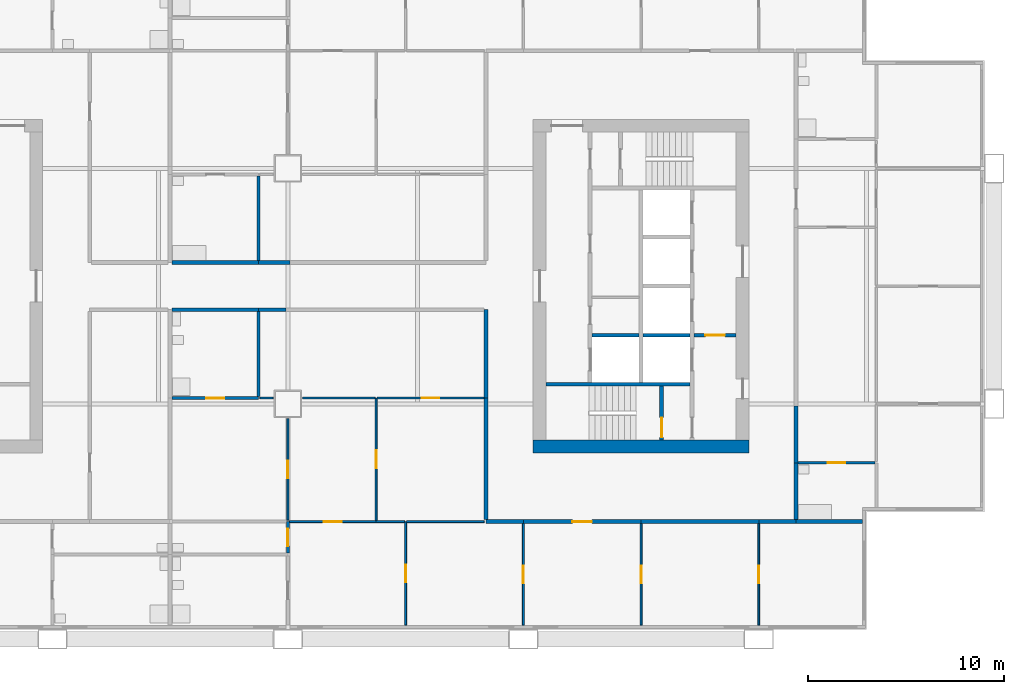
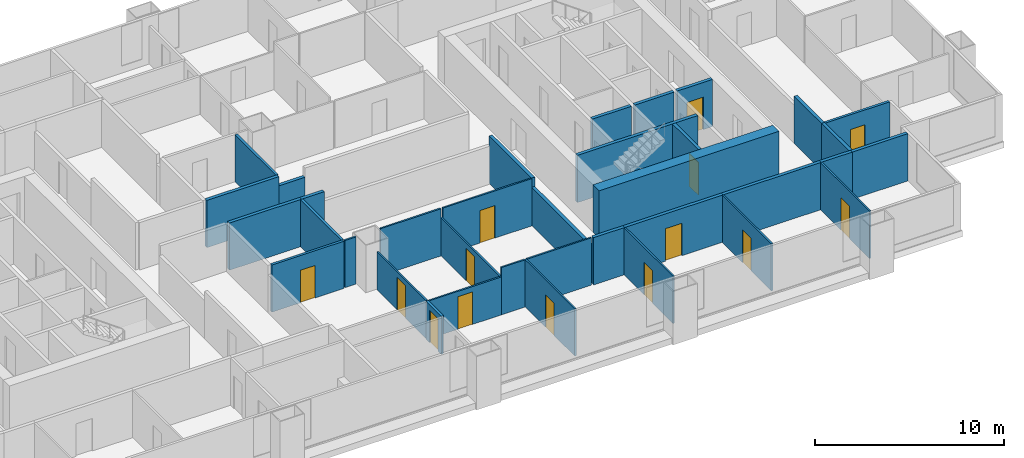
# One storey, part 5 of 11: 36 walls, 14 doors, 14 openings.
"""IFC4 building model written with IfcOpenShell, lengths in metres."""

from ifc_helpers import new_model, si_unit, direction, frame, frame_2d, origin, place, context, subcontext, project, spatial, rectangle, extrude, material, layer, layer_set, type_object, element, fill, save


model = new_model("IFC4")

# Units and contexts
model_context = context("Model", 3, precision=1e-05, world=origin(), true_north=direction((0.0, 1.0)))
body_context = subcontext(model_context, "Body", "Model", "MODEL_VIEW")
ifc_project = project(units=[si_unit("LENGTHUNIT", "METRE"), si_unit("AREAUNIT", "SQUARE_METRE"), si_unit("VOLUMEUNIT", "CUBIC_METRE"), si_unit("PLANEANGLEUNIT", "RADIAN"), si_unit("MASSUNIT", "GRAM", prefix="KILO")], contexts=[model_context])

# Site, building, storey
site_placement = place(None, origin())
site = spatial("IfcSite", under=ifc_project, at=site_placement, CompositionType="ELEMENT")
building_placement = place(site_placement, origin())
building = spatial("IfcBuilding", under=site, at=building_placement, Name="Kitamizu Gate Tower and Museum", CompositionType="ELEMENT")
storey_placement = place(building_placement, frame((0.0, 0.0, 106.949951171875)))
storey = spatial("IfcBuildingStorey", under=building, at=storey_placement, Name="L27", CompositionType="ELEMENT", Elevation=106.949951171875)

# Wall
ifc_material_1 = material(Name="Concrete Fc60", Category="concrete")
ifc_layer_1 = layer(ifc_material_1, 0.64990234375)
ifc_layer_set_1 = layer_set([ifc_layer_1], Name="Concrete Fc60")
wall_type_1 = type_object("IfcWallType", Name="Core wall 650", PredefinedType="SHEAR", material=ifc_layer_set_1)
wall_1_placement = place(storey_placement, frame((59.5, 21.824951171875, 0.0), z_axis=(0.0, 0.0, 1.0), x_axis=(-1.0, 0.0, 0.0)))
element("IfcWall", 1, at=wall_1_placement, inside=storey, type_object=wall_type_1, Name="Core wall ES", PredefinedType="SHEAR", context=body_context, shape_type="SweptSolid", body=[
    extrude(rectangle(XDim=11.0, YDim=0.64990234375, at=frame_2d((5.5, 0.0))), origin(), (0.0, 0.0, 1.0), 3.050048828125),
])

# Wall, opening, door
ifc_material_2 = material(Name="Gypsum board on galvanised stud")
ifc_layer_2 = layer(ifc_material_2, 0.10009765625)
ifc_layer_set_2 = layer_set([ifc_layer_2], Name="Gypsum board on galvanised stud")
wall_type_2 = type_object("IfcWallType", Name="Partition 100 NOT RATED", PredefinedType="PARTITIONING", material=ifc_layer_set_2)
wall_2_placement = place(storey_placement, frame((42.0, 12.719970703125, 0.0), z_axis=(0.0, 0.0, 1.0), x_axis=(0.0, 1.0, 0.0)))
wall_2 = element("IfcWall", 2, at=wall_2_placement, inside=storey, type_object=wall_type_2, Name="Partition L27-044", PredefinedType="PARTITIONING", context=body_context, shape_type="SweptSolid", body=[
    extrude(rectangle(XDim=5.280029296875, YDim=0.10009765625, at=frame_2d((2.64013671875, 0.0))), origin(), (0.0, 0.0, 1.0), 3.050048828125),
])
opening_1_placement = place(wall_2_placement, frame((2.18994140625, 0.0, 0.0)))
opening_1 = element("IfcOpeningElement", 3, at=opening_1_placement, cuts=wall_2, Name="Opening L27-017", PredefinedType="OPENING", context=body_context, shape_type="SweptSolid", body=[
    extrude(rectangle(XDim=0.89990234375, YDim=2.10009765625, at=frame_2d((0.449951171875, 1.050048828125))), frame((0.0, 0.06005859375, 0.0), z_axis=(0.0, -1.0, 0.0), x_axis=(1.0, 0.0, 0.0)), (0.0, 0.0, 1.0), 0.1201171875),
])
ifc_material_3 = material(Name="Timber door set", Category="wood")
door_type_1 = type_object("IfcDoorType", Name="Room door 900", OperationType="NOTDEFINED", PredefinedType="DOOR", material=ifc_material_3)
door_1_placement = place(opening_1_placement, origin())
door_1 = element("IfcDoor", 4, at=door_1_placement, inside=storey, type_object=door_type_1, Name="Door L27-017", OperationType="SINGLE_SWING_LEFT", OverallHeight=2.10009765625, OverallWidth=0.89990234375, PredefinedType="DOOR", context=body_context, shape_type="SweptSolid", body=[
    extrude(rectangle(XDim=0.89990234375, YDim=2.10009765625, at=frame_2d((0.449951171875, 1.050048828125))), frame((0.0, 0.02490234375, 0.0), z_axis=(0.0, -1.0, 0.0), x_axis=(1.0, 0.0, 0.0)), (0.0, 0.0, 1.0), 0.050048828125),
])
fill(opening_1, door_1)

wall_3_placement = place(storey_placement, frame((40.5, 18.0, 0.0), z_axis=(0.0, 0.0, 1.0), x_axis=(-1.0, 0.0, 0.0)))
wall_3 = element("IfcWall", 5, at=wall_3_placement, inside=storey, type_object=wall_type_2, Name="Partition L27-045", PredefinedType="PARTITIONING", context=body_context, shape_type="SweptSolid", body=[
    extrude(rectangle(XDim=4.425048828125, YDim=0.10009765625, at=frame_2d((2.21240234375, 0.0))), origin(), (0.0, 0.0, 1.0), 2.449951171875),
])
opening_2_placement = place(wall_3_placement, frame((1.762451171875, 0.0, 0.0)))
opening_2 = element("IfcOpeningElement", 6, at=opening_2_placement, cuts=wall_3, Name="Opening L27-019", PredefinedType="OPENING", context=body_context, shape_type="SweptSolid", body=[
    extrude(rectangle(XDim=0.89990234375, YDim=2.10009765625, at=frame_2d((0.449951171875, 1.050048828125))), frame((0.0, 0.06005859375, 0.0), z_axis=(0.0, -1.0, 0.0), x_axis=(1.0, 0.0, 0.0)), (0.0, 0.0, 1.0), 0.1201171875),
])
door_2_placement = place(opening_2_placement, frame((0.89990234375, 0.0, 0.0), x_axis=(-1.0, 0.0, 0.0)))
door_2 = element("IfcDoor", 7, at=door_2_placement, inside=storey, type_object=door_type_1, Name="Door L27-019", OperationType="SINGLE_SWING_RIGHT", OverallHeight=2.10009765625, OverallWidth=0.89990234375, PredefinedType="DOOR", context=body_context, shape_type="SweptSolid", body=[
    extrude(rectangle(XDim=0.89990234375, YDim=2.10009765625, at=frame_2d((0.449951171875, 1.050048828125))), frame((0.0, 0.02490234375, 0.0), z_axis=(0.0, -1.0, 0.0), x_axis=(1.0, 0.0, 0.0)), (0.0, 0.0, 1.0), 0.050048828125),
])
fill(opening_2, door_2)

# Wall
wall_4_placement = place(storey_placement, frame((41.949951171875, 18.0, 0.0), z_axis=(0.0, 0.0, 1.0), x_axis=(-1.0, 0.0, 0.0)))
element("IfcWall", 8, at=wall_4_placement, inside=storey, type_object=wall_type_2, Name="Partition L27-046", PredefinedType="PARTITIONING", context=body_context, shape_type="SweptSolid", body=[
    extrude(rectangle(XDim=1.449951171875, YDim=0.10009765625, at=frame_2d((0.72509765625, 0.0))), origin(), (0.0, 0.0, 1.0), 3.050048828125),
])

# Wall, opening, door
wall_5_placement = place(storey_placement, frame((48.0, 12.719970703125, 0.0), z_axis=(0.0, 0.0, 1.0), x_axis=(0.0, 1.0, 0.0)))
wall_5 = element("IfcWall", 9, at=wall_5_placement, inside=storey, type_object=wall_type_2, Name="Partition L27-047", PredefinedType="PARTITIONING", context=body_context, shape_type="SweptSolid", body=[
    extrude(rectangle(XDim=5.179931640625, YDim=0.10009765625, at=frame_2d((2.58984375, 0.0))), origin(), (0.0, 0.0, 1.0), 3.050048828125),
])
opening_3_placement = place(wall_5_placement, frame((2.139892578125, 0.0, 0.0)))
opening_3 = element("IfcOpeningElement", 10, at=opening_3_placement, cuts=wall_5, Name="Opening L27-015", PredefinedType="OPENING", context=body_context, shape_type="SweptSolid", body=[
    extrude(rectangle(XDim=0.89990234375, YDim=2.10009765625, at=frame_2d((0.449951171875, 1.050048828125))), frame((0.0, 0.06005859375, 0.0), z_axis=(0.0, -1.0, 0.0), x_axis=(1.0, 0.0, 0.0)), (0.0, 0.0, 1.0), 0.1201171875),
])
door_3_placement = place(opening_3_placement, origin())
door_3 = element("IfcDoor", 11, at=door_3_placement, inside=storey, type_object=door_type_1, Name="Door L27-015", OperationType="SINGLE_SWING_LEFT", OverallHeight=2.10009765625, OverallWidth=0.89990234375, PredefinedType="DOOR", context=body_context, shape_type="SweptSolid", body=[
    extrude(rectangle(XDim=0.89990234375, YDim=2.10009765625, at=frame_2d((0.449951171875, 1.050048828125))), frame((0.0, 0.02490234375, 0.0), z_axis=(0.0, -1.0, 0.0), x_axis=(1.0, 0.0, 0.0)), (0.0, 0.0, 1.0), 0.050048828125),
])
fill(opening_3, door_3)

# Wall
wall_6_placement = place(storey_placement, frame((46.0, 18.0, 0.0), z_axis=(0.0, 0.0, 1.0), x_axis=(-1.0, 0.0, 0.0)))
element("IfcWall", 12, at=wall_6_placement, inside=storey, type_object=wall_type_2, Name="Partition L27-048", PredefinedType="PARTITIONING", context=body_context, shape_type="SweptSolid", body=[
    extrude(rectangle(XDim=3.949951171875, YDim=0.10009765625, at=frame_2d((1.97509765625, 0.0))), origin(), (0.0, 0.0, 1.0), 3.050048828125),
])

# Wall, opening, door
wall_7_placement = place(storey_placement, frame((54.0, 12.719970703125, 0.0), z_axis=(0.0, 0.0, 1.0), x_axis=(0.0, 1.0, 0.0)))
wall_7 = element("IfcWall", 13, at=wall_7_placement, inside=storey, type_object=wall_type_2, Name="Partition L27-050", PredefinedType="PARTITIONING", context=body_context, shape_type="SweptSolid", body=[
    extrude(rectangle(XDim=5.179931640625, YDim=0.10009765625, at=frame_2d((2.58984375, 0.0))), origin(), (0.0, 0.0, 1.0), 3.050048828125),
])
opening_4_placement = place(wall_7_placement, frame((2.139892578125, 0.0, 0.0)))
opening_4 = element("IfcOpeningElement", 14, at=opening_4_placement, cuts=wall_7, Name="Opening L27-016", PredefinedType="OPENING", context=body_context, shape_type="SweptSolid", body=[
    extrude(rectangle(XDim=0.89990234375, YDim=2.10009765625, at=frame_2d((0.449951171875, 1.050048828125))), frame((0.0, 0.06005859375, 0.0), z_axis=(0.0, -1.0, 0.0), x_axis=(1.0, 0.0, 0.0)), (0.0, 0.0, 1.0), 0.1201171875),
])
door_4_placement = place(opening_4_placement, frame((0.89990234375, 0.0, 0.0), x_axis=(-1.0, 0.0, 0.0)))
door_4 = element("IfcDoor", 15, at=door_4_placement, inside=storey, type_object=door_type_1, Name="Door L27-016", OperationType="SINGLE_SWING_LEFT", OverallHeight=2.10009765625, OverallWidth=0.89990234375, PredefinedType="DOOR", context=body_context, shape_type="SweptSolid", body=[
    extrude(rectangle(XDim=0.89990234375, YDim=2.10009765625, at=frame_2d((0.449951171875, 1.050048828125))), frame((0.0, 0.02490234375, 0.0), z_axis=(0.0, -1.0, 0.0), x_axis=(1.0, 0.0, 0.0)), (0.0, 0.0, 1.0), 0.050048828125),
])
fill(opening_4, door_4)

wall_8_placement = place(storey_placement, frame((60.0, 12.719970703125, 0.0), z_axis=(0.0, 0.0, 1.0), x_axis=(0.0, 1.0, 0.0)))
wall_8 = element("IfcWall", 16, at=wall_8_placement, inside=storey, type_object=wall_type_2, Name="Partition L27-052", PredefinedType="PARTITIONING", context=body_context, shape_type="SweptSolid", body=[
    extrude(rectangle(XDim=5.179931640625, YDim=0.10009765625, at=frame_2d((2.58984375, 0.0))), origin(), (0.0, 0.0, 1.0), 3.050048828125),
])
opening_5_placement = place(wall_8_placement, frame((2.139892578125, 0.0, 0.0)))
opening_5 = element("IfcOpeningElement", 17, at=opening_5_placement, cuts=wall_8, Name="Opening L27-018", PredefinedType="OPENING", context=body_context, shape_type="SweptSolid", body=[
    extrude(rectangle(XDim=0.89990234375, YDim=2.10009765625, at=frame_2d((0.449951171875, 1.050048828125))), frame((0.0, 0.06005859375, 0.0), z_axis=(0.0, -1.0, 0.0), x_axis=(1.0, 0.0, 0.0)), (0.0, 0.0, 1.0), 0.1201171875),
])
door_5_placement = place(opening_5_placement, frame((0.89990234375, 0.0, 0.0), x_axis=(-1.0, 0.0, 0.0)))
door_5 = element("IfcDoor", 18, at=door_5_placement, inside=storey, type_object=door_type_1, Name="Door L27-018", OperationType="SINGLE_SWING_LEFT", OverallHeight=2.10009765625, OverallWidth=0.89990234375, PredefinedType="DOOR", context=body_context, shape_type="SweptSolid", body=[
    extrude(rectangle(XDim=0.89990234375, YDim=2.10009765625, at=frame_2d((0.449951171875, 1.050048828125))), frame((0.0, 0.02490234375, 0.0), z_axis=(0.0, -1.0, 0.0), x_axis=(1.0, 0.0, 0.0)), (0.0, 0.0, 1.0), 0.050048828125),
])
fill(opening_5, door_5)

wall_9_placement = place(storey_placement, frame((36.0, 18.074951171875, 0.0), z_axis=(0.0, 0.0, 1.0), x_axis=(0.0, 1.0, 0.0)))
wall_9 = element("IfcWall", 19, at=wall_9_placement, inside=storey, type_object=wall_type_2, Name="Partition L27-056", PredefinedType="PARTITIONING", context=body_context, shape_type="SweptSolid", body=[
    extrude(rectangle(XDim=5.175048828125, YDim=0.10009765625, at=frame_2d((2.58740234375, 0.0))), origin(), (0.0, 0.0, 1.0), 2.449951171875),
])
opening_6_placement = place(wall_9_placement, frame((2.137451171875, 0.0, 0.0)))
opening_6 = element("IfcOpeningElement", 20, at=opening_6_placement, cuts=wall_9, Name="Opening L27-024", PredefinedType="OPENING", context=body_context, shape_type="SweptSolid", body=[
    extrude(rectangle(XDim=0.89990234375, YDim=2.10009765625, at=frame_2d((0.449951171875, 1.050048828125))), frame((0.0, 0.06005859375, 0.0), z_axis=(0.0, -1.0, 0.0), x_axis=(1.0, 0.0, 0.0)), (0.0, 0.0, 1.0), 0.1201171875),
])
door_6_placement = place(opening_6_placement, frame((0.89990234375, 0.0, 0.0), x_axis=(-1.0, 0.0, 0.0)))
door_6 = element("IfcDoor", 21, at=door_6_placement, inside=storey, type_object=door_type_1, Name="Door L27-024", OperationType="SINGLE_SWING_LEFT", OverallHeight=2.10009765625, OverallWidth=0.89990234375, PredefinedType="DOOR", context=body_context, shape_type="SweptSolid", body=[
    extrude(rectangle(XDim=0.89990234375, YDim=2.10009765625, at=frame_2d((0.449951171875, 1.050048828125))), frame((0.0, 0.02490234375, 0.0), z_axis=(0.0, -1.0, 0.0), x_axis=(1.0, 0.0, 0.0)), (0.0, 0.0, 1.0), 0.050048828125),
])
fill(opening_6, door_6)

# Wall
wall_10_placement = place(storey_placement, frame((35.25, 24.300048828125, 0.0), z_axis=(0.0, 0.0, 1.0), x_axis=(-1.0, 0.0, 0.0)))
element("IfcWall", 22, at=wall_10_placement, inside=storey, type_object=wall_type_2, Name="Partition L27-058", PredefinedType="PARTITIONING", context=body_context, shape_type="SweptSolid", body=[
    extrude(rectangle(XDim=0.675048828125, YDim=0.10009765625, at=frame_2d((0.33740234375, 0.0))), origin(), (0.0, 0.0, 1.0), 3.050048828125),
])

# Wall, opening, door
wall_11_placement = place(storey_placement, frame((40.5, 18.050048828125, 0.0), z_axis=(0.0, 0.0, 1.0), x_axis=(0.0, 1.0, 0.0)))
wall_11 = element("IfcWall", 23, at=wall_11_placement, inside=storey, type_object=wall_type_2, Name="Partition L27-059", PredefinedType="PARTITIONING", context=body_context, shape_type="SweptSolid", body=[
    extrude(rectangle(XDim=6.25, YDim=0.10009765625, at=frame_2d((3.125, 0.0))), origin(), (0.0, 0.0, 1.0), 2.449951171875),
])
opening_7_placement = place(wall_11_placement, frame((2.675048828125, 0.0, 0.0)))
opening_7 = element("IfcOpeningElement", 24, at=opening_7_placement, cuts=wall_11, Name="Opening L27-020", PredefinedType="OPENING", context=body_context, shape_type="SweptSolid", body=[
    extrude(rectangle(XDim=0.89990234375, YDim=2.10009765625, at=frame_2d((0.449951171875, 1.050048828125))), frame((0.0, 0.06005859375, 0.0), z_axis=(0.0, -1.0, 0.0), x_axis=(1.0, 0.0, 0.0)), (0.0, 0.0, 1.0), 0.1201171875),
])
door_7_placement = place(opening_7_placement, origin())
door_7 = element("IfcDoor", 25, at=door_7_placement, inside=storey, type_object=door_type_1, Name="Door L27-020", OperationType="SINGLE_SWING_RIGHT", OverallHeight=2.10009765625, OverallWidth=0.89990234375, PredefinedType="DOOR", context=body_context, shape_type="SweptSolid", body=[
    extrude(rectangle(XDim=0.89990234375, YDim=2.10009765625, at=frame_2d((0.449951171875, 1.050048828125))), frame((0.0, 0.02490234375, 0.0), z_axis=(0.0, -1.0, 0.0), x_axis=(1.0, 0.0, 0.0)), (0.0, 0.0, 1.0), 0.050048828125),
])
fill(opening_7, door_7)

# Wall
wall_12_placement = place(storey_placement, frame((40.449951171875, 24.300048828125, 0.0), z_axis=(0.0, 0.0, 1.0), x_axis=(-1.0, 0.0, 0.0)))
element("IfcWall", 26, at=wall_12_placement, inside=storey, type_object=wall_type_2, Name="Partition L27-060", PredefinedType="PARTITIONING", context=body_context, shape_type="SweptSolid", body=[
    extrude(rectangle(XDim=3.699951171875, YDim=0.10009765625, at=frame_2d((1.85009765625, 0.0))), origin(), (0.0, 0.0, 1.0), 3.050048828125),
])

# Wall, opening, door
wall_13_placement = place(storey_placement, frame((46.0, 24.300048828125, 0.0), z_axis=(0.0, 0.0, 1.0), x_axis=(-1.0, 0.0, 0.0)))
wall_13 = element("IfcWall", 27, at=wall_13_placement, inside=storey, type_object=wall_type_2, Name="Partition L27-061", PredefinedType="PARTITIONING", context=body_context, shape_type="SweptSolid", body=[
    extrude(rectangle(XDim=5.449951171875, YDim=0.10009765625, at=frame_2d((2.72509765625, 0.0))), origin(), (0.0, 0.0, 1.0), 3.050048828125),
])
opening_8_placement = place(wall_13_placement, frame((2.27490234375, 0.0, 0.0)))
opening_8 = element("IfcOpeningElement", 28, at=opening_8_placement, cuts=wall_13, Name="Opening L27-021", PredefinedType="OPENING", context=body_context, shape_type="SweptSolid", body=[
    extrude(rectangle(XDim=0.89990234375, YDim=2.10009765625, at=frame_2d((0.449951171875, 1.050048828125))), frame((0.0, 0.06005859375, 0.0), z_axis=(0.0, -1.0, 0.0), x_axis=(1.0, 0.0, 0.0)), (0.0, 0.0, 1.0), 0.1201171875),
])
door_8_placement = place(opening_8_placement, origin())
door_8 = element("IfcDoor", 29, at=door_8_placement, inside=storey, type_object=door_type_1, Name="Door L27-021", OperationType="SINGLE_SWING_LEFT", OverallHeight=2.10009765625, OverallWidth=0.89990234375, PredefinedType="DOOR", context=body_context, shape_type="SweptSolid", body=[
    extrude(rectangle(XDim=0.89990234375, YDim=2.10009765625, at=frame_2d((0.449951171875, 1.050048828125))), frame((0.0, 0.02490234375, 0.0), z_axis=(0.0, -1.0, 0.0), x_axis=(1.0, 0.0, 0.0)), (0.0, 0.0, 1.0), 0.050048828125),
])
fill(opening_8, door_8)

ifc_material_4 = material(Name="Gypsum board on galvanised stud")
ifc_layer_3 = layer(ifc_material_4, 0.14990234375)
ifc_layer_set_3 = layer_set([ifc_layer_3], Name="Gypsum board on galvanised stud")
wall_type_3 = type_object("IfcWallType", Name="Partition 150", PredefinedType="PARTITIONING", material=ifc_layer_set_3)
wall_14_placement = place(storey_placement, frame((36.0, 16.39501953125, 0.0), z_axis=(0.0, 0.0, 1.0), x_axis=(0.0, 1.0, 0.0)))
wall_14 = element("IfcWall", 30, at=wall_14_placement, inside=storey, type_object=wall_type_3, Name="Partition L27-042", PredefinedType="PARTITIONING", context=body_context, shape_type="SweptSolid", body=[
    extrude(rectangle(XDim=1.60498046875, YDim=0.14990234375, at=frame_2d((0.802490234375, 0.0))), origin(), (0.0, 0.0, 1.0), 2.449951171875),
])
opening_9_placement = place(wall_14_placement, frame((0.3525390625, 0.0, 0.0)))
opening_9 = element("IfcOpeningElement", 31, at=opening_9_placement, cuts=wall_14, Name="Opening L27-023", PredefinedType="OPENING", context=body_context, shape_type="SweptSolid", body=[
    extrude(rectangle(XDim=0.89990234375, YDim=2.10009765625, at=frame_2d((0.449951171875, 1.050048828125))), frame((0.0, 0.0849609375, 0.0), z_axis=(0.0, -1.0, 0.0), x_axis=(1.0, 0.0, 0.0)), (0.0, 0.0, 1.0), 0.169921875),
])
ifc_material_5 = material(Name="Timber door set", Category="wood")
door_type_2 = type_object("IfcDoorType", Name="Bathroom door 900", OperationType="NOTDEFINED", PredefinedType="DOOR", material=ifc_material_5)
door_9_placement = place(opening_9_placement, origin())
door_9 = element("IfcDoor", 32, at=door_9_placement, inside=storey, type_object=door_type_2, Name="Bathroom door L27-023", OperationType="SINGLE_SWING_LEFT", OverallHeight=2.10009765625, OverallWidth=0.89990234375, PredefinedType="DOOR", context=body_context, shape_type="SweptSolid", body=[
    extrude(rectangle(XDim=0.89990234375, YDim=2.10009765625, at=frame_2d((0.449951171875, 1.050048828125))), frame((0.0, 0.02490234375, 0.0), z_axis=(0.0, -1.0, 0.0), x_axis=(1.0, 0.0, 0.0)), (0.0, 0.0, 1.0), 0.050048828125),
])
fill(opening_9, door_9)

wall_15_placement = place(storey_placement, frame((34.5, 24.300048828125, 0.0), z_axis=(0.0, 0.0, 1.0), x_axis=(-1.0, 0.0, 0.0)))
wall_15 = element("IfcWall", 33, at=wall_15_placement, inside=storey, type_object=wall_type_3, Name="Partition L27-057", PredefinedType="PARTITIONING", context=body_context, shape_type="SweptSolid", body=[
    extrude(rectangle(XDim=4.39990234375, YDim=0.14990234375, at=frame_2d((2.199951171875, 0.0))), origin(), (0.0, 0.0, 1.0), 3.050048828125),
])
opening_10_placement = place(wall_15_placement, frame((1.75, 0.0, 0.0)))
opening_10 = element("IfcOpeningElement", 34, at=opening_10_placement, cuts=wall_15, Name="Opening L27-025", PredefinedType="OPENING", context=body_context, shape_type="SweptSolid", body=[
    extrude(rectangle(XDim=0.89990234375, YDim=2.10009765625, at=frame_2d((0.449951171875, 1.050048828125))), frame((0.0, 0.0849609375, 0.0), z_axis=(0.0, -1.0, 0.0), x_axis=(1.0, 0.0, 0.0)), (0.0, 0.0, 1.0), 0.169921875),
])
door_10_placement = place(opening_10_placement, frame((0.89990234375, 0.0, 0.0), x_axis=(-1.0, 0.0, 0.0)))
door_10 = element("IfcDoor", 35, at=door_10_placement, inside=storey, type_object=door_type_2, Name="Bathroom door L27-025", OperationType="SINGLE_SWING_RIGHT", OverallHeight=2.10009765625, OverallWidth=0.89990234375, PredefinedType="DOOR", context=body_context, shape_type="SweptSolid", body=[
    extrude(rectangle(XDim=0.89990234375, YDim=2.10009765625, at=frame_2d((0.449951171875, 1.050048828125))), frame((0.0, 0.02490234375, 0.0), z_axis=(0.0, -1.0, 0.0), x_axis=(1.0, 0.0, 0.0)), (0.0, 0.0, 1.0), 0.050048828125),
])
fill(opening_10, door_10)

# Wall
wall_16_placement = place(storey_placement, frame((34.5, 24.375, 0.0), z_axis=(0.0, 0.0, 1.0), x_axis=(0.0, 1.0, 0.0)))
element("IfcWall", 36, at=wall_16_placement, inside=storey, type_object=wall_type_3, Name="Partition L27-063", PredefinedType="PARTITIONING", context=body_context, shape_type="SweptSolid", body=[
    extrude(rectangle(XDim=4.324951171875, YDim=0.14990234375, at=frame_2d((2.16259765625, 0.0))), origin(), (0.0, 0.0, 1.0), 3.050048828125),
])

# Wall, opening, door
wall_17_placement = place(storey_placement, frame((65.925048828125, 21.0, 0.0), z_axis=(0.0, 0.0, 1.0), x_axis=(-1.0, 0.0, 0.0)))
wall_17 = element("IfcWall", 37, at=wall_17_placement, inside=storey, type_object=wall_type_3, Name="Partition L27-078", PredefinedType="PARTITIONING", context=body_context, shape_type="SweptSolid", body=[
    extrude(rectangle(XDim=3.925048828125, YDim=0.14990234375, at=frame_2d((1.96240234375, 0.0))), origin(), (0.0, 0.0, 1.0), 3.050048828125),
])
opening_11_placement = place(wall_17_placement, frame((1.512451171875, 0.0, 0.0)))
opening_11 = element("IfcOpeningElement", 38, at=opening_11_placement, cuts=wall_17, Name="Opening L27-033", PredefinedType="OPENING", context=body_context, shape_type="SweptSolid", body=[
    extrude(rectangle(XDim=0.89990234375, YDim=2.10009765625, at=frame_2d((0.449951171875, 1.050048828125))), frame((0.0, 0.0849609375, 0.0), z_axis=(0.0, -1.0, 0.0), x_axis=(1.0, 0.0, 0.0)), (0.0, 0.0, 1.0), 0.169921875),
])
door_11_placement = place(opening_11_placement, origin())
door_11 = element("IfcDoor", 39, at=door_11_placement, inside=storey, type_object=door_type_2, Name="Bathroom door L27-033", OperationType="SINGLE_SWING_RIGHT", OverallHeight=2.10009765625, OverallWidth=0.89990234375, PredefinedType="DOOR", context=body_context, shape_type="SweptSolid", body=[
    extrude(rectangle(XDim=0.89990234375, YDim=2.10009765625, at=frame_2d((0.449951171875, 1.050048828125))), frame((0.0, 0.02490234375, 0.0), z_axis=(0.0, -1.0, 0.0), x_axis=(1.0, 0.0, 0.0)), (0.0, 0.0, 1.0), 0.050048828125),
])
fill(opening_11, door_11)

# Walls
wall_18_placement = place(storey_placement, frame((34.5, 31.300048828125, 0.0), z_axis=(0.0, 0.0, 1.0), x_axis=(0.0, 1.0, 0.0)))
element("IfcWall", 40, at=wall_18_placement, inside=storey, type_object=wall_type_3, Name="Partition L27-131", PredefinedType="PARTITIONING", context=body_context, shape_type="SweptSolid", body=[
    extrude(rectangle(XDim=4.324951171875, YDim=0.14990234375, at=frame_2d((2.16259765625, 0.0))), origin(), (0.0, 0.0, 1.0), 3.050048828125),
])
ifc_material_6 = material(Name="Gypsum board on galvanised stud")
ifc_layer_4 = layer(ifc_material_6, 0.199951171875)
ifc_layer_set_4 = layer_set([ifc_layer_4], Name="Gypsum board on galvanised stud")
wall_type_4 = type_object("IfcWallType", Name="Partition 200", PredefinedType="PARTITIONING", material=ifc_layer_set_4)
wall_19_placement = place(storey_placement, frame((48.0, 18.0, 0.0), z_axis=(0.0, 0.0, 1.0), x_axis=(-1.0, 0.0, 0.0)))
element("IfcWall", 41, at=wall_19_placement, inside=storey, type_object=wall_type_4, Name="Partition L27-049", PredefinedType="PARTITIONING", context=body_context, shape_type="SweptSolid", body=[
    extrude(rectangle(XDim=1.89990234375, YDim=0.199951171875, at=frame_2d((0.949951171875, 0.0))), origin(), (0.0, 0.0, 1.0), 3.050048828125),
])

# Wall, opening, door
wall_20_placement = place(storey_placement, frame((54.0, 18.0, 0.0), z_axis=(0.0, 0.0, 1.0), x_axis=(-1.0, 0.0, 0.0)))
wall_20 = element("IfcWall", 42, at=wall_20_placement, inside=storey, type_object=wall_type_4, Name="Partition L27-051", PredefinedType="PARTITIONING", context=body_context, shape_type="SweptSolid", body=[
    extrude(rectangle(XDim=6.0, YDim=0.199951171875, at=frame_2d((3.0, 0.0))), origin(), (0.0, 0.0, 1.0), 3.050048828125),
])
opening_12_placement = place(wall_20_placement, frame((2.5, 0.0, 0.0)))
opening_12 = element("IfcOpeningElement", 43, at=opening_12_placement, cuts=wall_20, Name="Opening L27-014", PredefinedType="OPENING", context=body_context, shape_type="SweptSolid", body=[
    extrude(rectangle(XDim=1.0, YDim=2.10009765625, at=frame_2d((0.5, 1.050048828125))), frame((0.0, 0.10986328125, 0.0), z_axis=(0.0, -1.0, 0.0), x_axis=(1.0, 0.0, 0.0)), (0.0, 0.0, 1.0), 0.219970703125),
])
ifc_material_7 = material(Name="Timber door set", Category="wood")
door_type_3 = type_object("IfcDoorType", Name="Flat entrance door 1000", OperationType="NOTDEFINED", PredefinedType="DOOR", material=ifc_material_7)
door_12_placement = place(opening_12_placement, origin())
door_12 = element("IfcDoor", 44, at=door_12_placement, inside=storey, type_object=door_type_3, Name="Flat entrance door L27-014", OperationType="SINGLE_SWING_RIGHT", OverallHeight=2.10009765625, OverallWidth=1.0, PredefinedType="DOOR", context=body_context, shape_type="SweptSolid", body=[
    extrude(rectangle(XDim=1.0, YDim=2.10009765625, at=frame_2d((0.5, 1.050048828125))), frame((0.0, 0.02490234375, 0.0), z_axis=(0.0, -1.0, 0.0), x_axis=(1.0, 0.0, 0.0)), (0.0, 0.0, 1.0), 0.050048828125),
])
fill(opening_12, door_12)

# Walls
wall_21_placement = place(storey_placement, frame((60.0, 18.0, 0.0), z_axis=(0.0, 0.0, 1.0), x_axis=(-1.0, 0.0, 0.0)))
element("IfcWall", 45, at=wall_21_placement, inside=storey, type_object=wall_type_4, Name="Partition L27-053", PredefinedType="PARTITIONING", context=body_context, shape_type="SweptSolid", body=[
    extrude(rectangle(XDim=6.0, YDim=0.199951171875, at=frame_2d((3.0, 0.0))), origin(), (0.0, 0.0, 1.0), 3.050048828125),
])
wall_22_placement = place(storey_placement, frame((65.280029296875, 18.0, 0.0), z_axis=(0.0, 0.0, 1.0), x_axis=(-1.0, 0.0, 0.0)))
element("IfcWall", 46, at=wall_22_placement, inside=storey, type_object=wall_type_4, Name="Partition L27-054", PredefinedType="PARTITIONING", context=body_context, shape_type="SweptSolid", body=[
    extrude(rectangle(XDim=3.380126953125, YDim=0.199951171875, at=frame_2d((1.68994140625, 0.0))), origin(), (0.0, 0.0, 1.0), 3.050048828125),
])
wall_23_placement = place(storey_placement, frame((61.89990234375, 18.0, 0.0), z_axis=(0.0, 0.0, 1.0), x_axis=(-1.0, 0.0, 0.0)))
element("IfcWall", 47, at=wall_23_placement, inside=storey, type_object=wall_type_4, Name="Partition L27-055", PredefinedType="PARTITIONING", context=body_context, shape_type="SweptSolid", body=[
    extrude(rectangle(XDim=1.89990234375, YDim=0.199951171875, at=frame_2d((0.949951171875, 0.0))), origin(), (0.0, 0.0, 1.0), 3.050048828125),
])
wall_24_placement = place(storey_placement, frame((46.10009765625, 18.10009765625, 0.0), z_axis=(0.0, 0.0, 1.0), x_axis=(0.0, 1.0, 0.0)))
element("IfcWall", 48, at=wall_24_placement, inside=storey, type_object=wall_type_4, Name="Partition L27-062", PredefinedType="PARTITIONING", context=body_context, shape_type="SweptSolid", body=[
    extrude(rectangle(XDim=6.199951171875, YDim=0.199951171875, at=frame_2d((3.10009765625, 0.0))), origin(), (0.0, 0.0, 1.0), 2.449951171875),
])
wall_25_placement = place(storey_placement, frame((34.5, 28.800048828125, 0.0), z_axis=(0.0, 0.0, 1.0), x_axis=(-1.0, 0.0, 0.0)))
element("IfcWall", 49, at=wall_25_placement, inside=storey, type_object=wall_type_4, Name="Partition L27-064", PredefinedType="PARTITIONING", context=body_context, shape_type="SweptSolid", body=[
    extrude(rectangle(XDim=4.39990234375, YDim=0.199951171875, at=frame_2d((2.199951171875, 0.0))), origin(), (0.0, 0.0, 1.0), 3.050048828125),
])
wall_26_placement = place(storey_placement, frame((46.10009765625, 24.300048828125, 0.0), z_axis=(0.0, 0.0, 1.0), x_axis=(0.0, 1.0, 0.0)))
element("IfcWall", 50, at=wall_26_placement, inside=storey, type_object=wall_type_4, Name="Partition L27-065", PredefinedType="PARTITIONING", context=body_context, shape_type="SweptSolid", body=[
    extrude(rectangle(XDim=4.5, YDim=0.199951171875, at=frame_2d((2.25, 0.0))), origin(), (0.0, 0.0, 1.0), 3.050048828125),
])
wall_27_placement = place(storey_placement, frame((35.89990234375, 28.800048828125, 0.0), z_axis=(0.0, 0.0, 1.0), x_axis=(-1.0, 0.0, 0.0)))
element("IfcWall", 51, at=wall_27_placement, inside=storey, type_object=wall_type_4, Name="Partition L27-067", PredefinedType="PARTITIONING", context=body_context, shape_type="SweptSolid", body=[
    extrude(rectangle(XDim=1.39990234375, YDim=0.199951171875, at=frame_2d((0.699951171875, 0.0))), origin(), (0.0, 0.0, 1.0), 3.050048828125),
])
for number, where, z_axis, x_axis, name in (
    (52, (61.89990234375, 21.0, 0.0), (0.0, 0.0, 1.0), (0.0, -1.0, 0.0), "Partition L27-079"),
    (53, (61.89990234375, 23.89990234375, 0.0), (0.0, 0.0, 1.0), (0.0, -1.0, 0.0), "Partition L27-082"),
):
    element("IfcWall", number, at=place(storey_placement, frame(where, z_axis=z_axis, x_axis=x_axis)), inside=storey, type_object=wall_type_4, Name=name, PredefinedType="PARTITIONING", context=body_context, shape_type="SweptSolid", body=[
        extrude(rectangle(XDim=2.89990234375, YDim=0.199951171875, at=frame_2d((1.449951171875, 0.0))), origin(), (0.0, 0.0, 1.0), 3.050048828125),
    ])
wall_28_placement = place(storey_placement, frame((30.10009765625, 31.199951171875, 0.0), z_axis=(0.0, 0.0, 1.0), x_axis=(1.0, 0.0, 0.0)))
element("IfcWall", 54, at=wall_28_placement, inside=storey, type_object=wall_type_4, Name="Partition L27-132", PredefinedType="PARTITIONING", context=body_context, shape_type="SweptSolid", body=[
    extrude(rectangle(XDim=4.39990234375, YDim=0.199951171875, at=frame_2d((2.199951171875, 0.0))), origin(), (0.0, 0.0, 1.0), 3.050048828125),
])
wall_29_placement = place(storey_placement, frame((34.5, 31.199951171875, 0.0), z_axis=(0.0, 0.0, 1.0), x_axis=(1.0, 0.0, 0.0)))
element("IfcWall", 55, at=wall_29_placement, inside=storey, type_object=wall_type_4, Name="Partition L27-133", PredefinedType="PARTITIONING", context=body_context, shape_type="SweptSolid", body=[
    extrude(rectangle(XDim=1.60009765625, YDim=0.199951171875, at=frame_2d((0.800048828125, 0.0))), origin(), (0.0, 0.0, 1.0), 2.449951171875),
])
ifc_material_8 = material(Name="Concrete Fc42", Category="concrete")
ifc_layer_5 = layer(ifc_material_8, 0.199951171875)
ifc_layer_set_5 = layer_set([ifc_layer_5], Name="Concrete Fc42")
wall_type_5 = type_object("IfcWallType", Name="Shaft wall 200", PredefinedType="SOLIDWALL", material=ifc_layer_set_5)
wall_30_placement = place(storey_placement, frame((56.5, 25.0, 0.0), z_axis=(0.0, 0.0, 1.0), x_axis=(-1.0, 0.0, 0.0)))
element("IfcWall", 56, at=wall_30_placement, inside=storey, type_object=wall_type_5, Name="Shaft wall ESB", PredefinedType="SOLIDWALL", context=body_context, shape_type="SweptSolid", body=[
    extrude(rectangle(XDim=7.35009765625, YDim=0.199951171875, at=frame_2d((3.675048828125, 0.0))), origin(), (0.0, 0.0, 1.0), 3.050048828125),
])

# Wall, opening, door
wall_31_placement = place(storey_placement, frame((58.85009765625, 27.5, 0.0), z_axis=(0.0, 0.0, 1.0), x_axis=(-1.0, 0.0, 0.0)))
wall_31 = element("IfcWall", 57, at=wall_31_placement, inside=storey, type_object=wall_type_5, Name="Shaft wall EFFN", PredefinedType="SOLIDWALL", context=body_context, shape_type="SweptSolid", body=[
    extrude(rectangle(XDim=2.150146484375, YDim=0.199951171875, at=frame_2d((1.0751953125, 0.0))), origin(), (0.0, 0.0, 1.0), 3.050048828125),
])
opening_13_placement = place(wall_31_placement, frame((0.574951171875, 0.0, 0.0)))
opening_13 = element("IfcOpeningElement", 58, at=opening_13_placement, cuts=wall_31, Name="Opening L27-068", PredefinedType="OPENING", context=body_context, shape_type="SweptSolid", body=[
    extrude(rectangle(XDim=1.0, YDim=2.10009765625, at=frame_2d((0.5, 1.050048828125))), frame((0.0, 0.10986328125, 0.0), z_axis=(0.0, -1.0, 0.0), x_axis=(1.0, 0.0, 0.0)), (0.0, 0.0, 1.0), 0.219970703125),
])
ifc_material_9 = material(Name="Hollow metal door set")
door_type_4 = type_object("IfcDoorType", Name="Fire door 1000", OperationType="NOTDEFINED", PredefinedType="DOOR", material=ifc_material_9)
door_13_placement = place(opening_13_placement, origin())
door_13 = element("IfcDoor", 59, at=door_13_placement, inside=storey, type_object=door_type_4, Name="Fire-fighting lobby door L27-068", OperationType="SINGLE_SWING_RIGHT", OverallHeight=2.10009765625, OverallWidth=1.0, PredefinedType="DOOR", context=body_context, shape_type="SweptSolid", body=[
    extrude(rectangle(XDim=1.0, YDim=2.10009765625, at=frame_2d((0.5, 1.050048828125))), frame((0.0, 0.02490234375, 0.0), z_axis=(0.0, -1.0, 0.0), x_axis=(1.0, 0.0, 0.0)), (0.0, 0.0, 1.0), 0.050048828125),
])
fill(opening_13, door_13)

wall_32_placement = place(storey_placement, frame((55.050048828125, 22.14990234375, 0.0), z_axis=(0.0, 0.0, 1.0), x_axis=(0.0, 1.0, 0.0)))
wall_32 = element("IfcWall", 60, at=wall_32_placement, inside=storey, type_object=wall_type_5, Name="Shaft wall ESZ", PredefinedType="SOLIDWALL", context=body_context, shape_type="SweptSolid", body=[
    extrude(rectangle(XDim=2.75, YDim=0.199951171875, at=frame_2d((1.375, 0.0))), origin(), (0.0, 0.0, 1.0), 3.050048828125),
])
opening_14_placement = place(wall_32_placement, frame((0.14990234375, 0.0, 0.0)))
opening_14 = element("IfcOpeningElement", 61, at=opening_14_placement, cuts=wall_32, Name="Opening L27-064", PredefinedType="OPENING", context=body_context, shape_type="SweptSolid", body=[
    extrude(rectangle(XDim=1.0, YDim=2.10009765625, at=frame_2d((0.5, 1.050048828125))), frame((0.0, 0.10986328125, 0.0), z_axis=(0.0, -1.0, 0.0), x_axis=(1.0, 0.0, 0.0)), (0.0, 0.0, 1.0), 0.219970703125),
])
door_14_placement = place(opening_14_placement, origin())
door_14 = element("IfcDoor", 62, at=door_14_placement, inside=storey, type_object=door_type_4, Name="Stair door L27-064", OperationType="SINGLE_SWING_RIGHT", OverallHeight=2.10009765625, OverallWidth=1.0, PredefinedType="DOOR", context=body_context, shape_type="SweptSolid", body=[
    extrude(rectangle(XDim=1.0, YDim=2.10009765625, at=frame_2d((0.5, 1.050048828125))), frame((0.0, 0.02490234375, 0.0), z_axis=(0.0, -1.0, 0.0), x_axis=(1.0, 0.0, 0.0)), (0.0, 0.0, 1.0), 0.050048828125),
])
fill(opening_14, door_14)

# Walls
for number, where, z_axis, x_axis, name in (
    (63, (56.5, 27.5, 0.0), (0.0, 0.0, 1.0), (-1.0, 0.0, 0.0), "Shaft wall EDVW0"),
    (64, (53.89990234375, 27.5, 0.0), (0.0, 0.0, 1.0), (-1.0, 0.0, 0.0), "Shaft wall EDVE0"),
):
    element("IfcWall", number, at=place(storey_placement, frame(where, z_axis=z_axis, x_axis=x_axis)), inside=storey, type_object=wall_type_5, Name=name, PredefinedType="SOLIDWALL", context=body_context, shape_type="SweptSolid", body=[
        extrude(rectangle(XDim=2.39990234375, YDim=0.199951171875, at=frame_2d((1.199951171875, 0.0))), origin(), (0.0, 0.0, 1.0), 3.050048828125),
    ])

save(model, "model.ifc")
